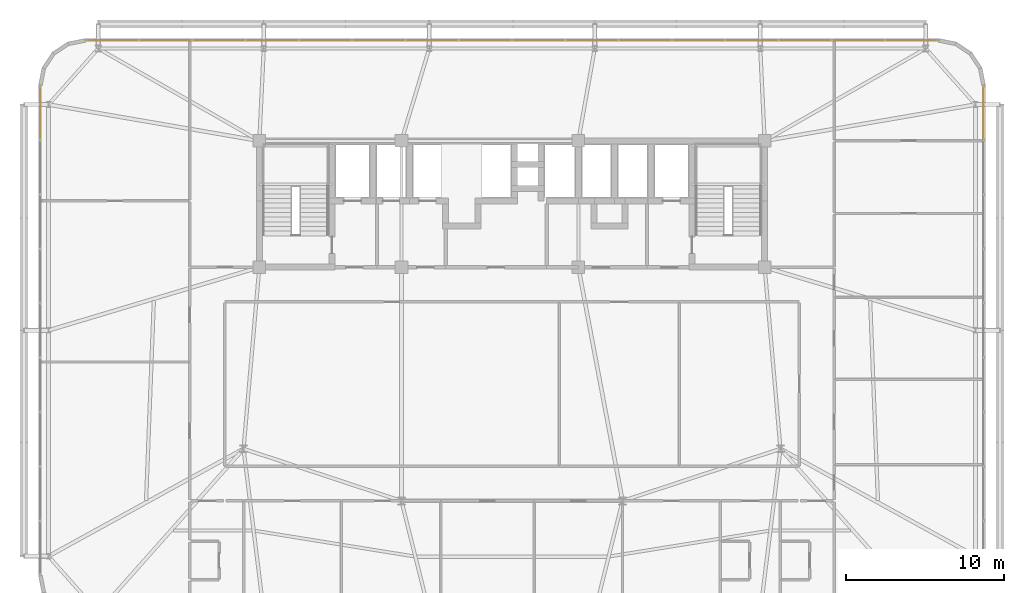
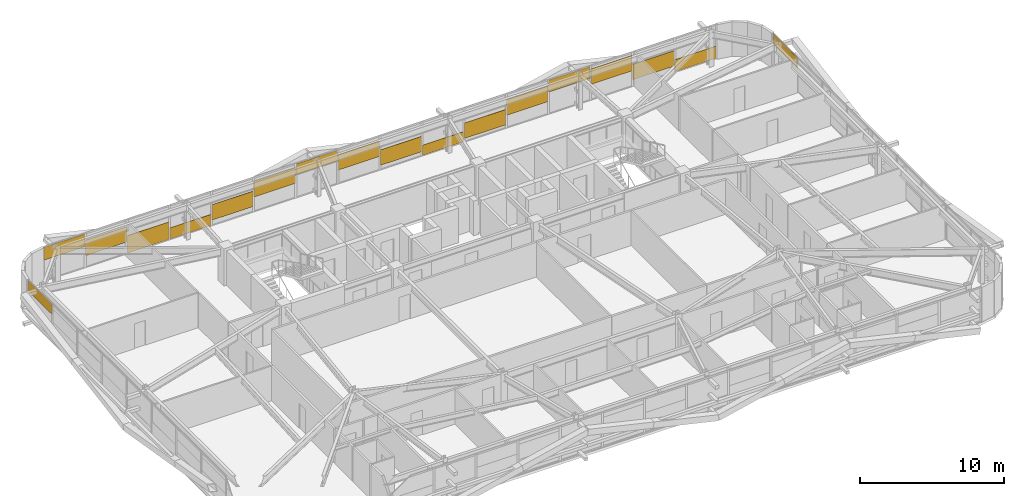
# One storey, part 58 of 58: 18 coverings.
"""IFC4 building model written with IfcOpenShell, lengths in metres."""

import ifcopenshell
import ifcopenshell.guid

model = None  # the IFC model being written
_history = None  # IfcOwnerHistory: only IFC2X3 demands one
_inside = {}  # id of a spatial element -> (the spatial element, [elements in it])
_under = {}  # id of a project, library or spatial element -> (it, [spatial elements below it])
_declared = {}  # id of a project -> (the project, [libraries it declares])
_typed = {}  # id of a type object -> (the type object, [elements of that type])
_made_of = {}  # id of a material, layer set ... -> (it, [elements and type objects made of it])


def new_model(schema):
    """Start an empty IFC model of exactly this schema.

    Asked for "IFC4X3", IfcOpenShell would pick the latest addendum, in which some entities
    have other attributes; the version numbers below select the first issue.
    IFC2X3 requires an IfcOwnerHistory on every rooted entity: one is made here for all.
    """
    global model, _history
    if schema == "IFC4X3":
        model = ifcopenshell.file(schema_version=(4, 3, 0, 0))
    else:
        model = ifcopenshell.file(schema=schema)
    _inside.clear()
    _under.clear()
    _declared.clear()
    _typed.clear()
    _made_of.clear()
    _history = None
    if model.schema == "IFC2X3":
        org = make("IfcOrganization", Name="unknown")
        user = make(
            "IfcPersonAndOrganization",
            ThePerson=make("IfcPerson", FamilyName="unknown"),
            TheOrganization=org,
        )
        app = make(
            "IfcApplication",
            ApplicationDeveloper=org,
            Version="unknown",
            ApplicationFullName="unknown",
            ApplicationIdentifier="unknown",
        )
        _history = make(
            "IfcOwnerHistory",
            OwningUser=user,
            OwningApplication=app,
            ChangeAction="ADDED",
            CreationDate=0,
        )
    return model


def make(cls, **values):
    """One entity of the class cls with the attributes given. An attribute that is None is left unset."""
    return model.create_entity(
        cls, **{name: value for name, value in values.items() if value is not None}
    )


def rooted(cls, **values):
    """An entity with a GlobalId (a new one), such as an element, a storey or a relation."""
    return make(cls, GlobalId=ifcopenshell.guid.new(), OwnerHistory=_history, **values)


def si_unit(unit_type, name, prefix=None):
    """IfcSIUnit, for example si_unit("LENGTHUNIT", "METRE", prefix="MILLI")."""
    return make("IfcSIUnit", UnitType=unit_type, Prefix=prefix, Name=name)


def assignment(units):
    """IfcUnitAssignment: the units of a project."""
    return None if units is None else make("IfcUnitAssignment", Units=units)


def point(xyz):
    """IfcCartesianPoint."""
    return None if xyz is None else make("IfcCartesianPoint", Coordinates=xyz)


def direction(xyz):
    """IfcDirection."""
    return None if xyz is None else make("IfcDirection", DirectionRatios=xyz)


def frame(location, z_axis=None, x_axis=None):
    """IfcAxis2Placement3D, a coordinate frame: its origin and axes. An axis left out is left unset."""
    return make(
        "IfcAxis2Placement3D",
        Location=point(location),
        Axis=direction(z_axis),
        RefDirection=direction(x_axis),
    )


def frame_2d(location, x_axis=None):
    """IfcAxis2Placement2D, a coordinate frame in the plane: its origin and x axis."""
    return make(
        "IfcAxis2Placement2D", Location=point(location), RefDirection=direction(x_axis)
    )


def origin():
    """The frame at (0, 0, 0) with its axes left unset."""
    return frame((0.0, 0.0, 0.0))


def origin_2d():
    """The frame at (0, 0) in the plane with its x axis left unset."""
    return frame_2d((0.0, 0.0))


def place(relative_to, where):
    """IfcLocalPlacement: puts the frame where relative to a parent placement (None: the world)."""
    return make(
        "IfcLocalPlacement", PlacementRelTo=relative_to, RelativePlacement=where
    )


def context(
    kind, dimensions, precision=None, world=None, true_north=None, identifier=None
):
    """IfcGeometricRepresentationContext, for example the 3D "Model" context."""
    return make(
        "IfcGeometricRepresentationContext",
        ContextIdentifier=identifier,
        ContextType=kind,
        CoordinateSpaceDimension=dimensions,
        Precision=precision,
        WorldCoordinateSystem=world,
        TrueNorth=true_north,
    )


def subcontext(parent, identifier, kind, view, scale=None):
    """IfcGeometricRepresentationSubContext, for example "Body" below "Model"."""
    return make(
        "IfcGeometricRepresentationSubContext",
        ContextIdentifier=identifier,
        ContextType=kind,
        ParentContext=parent,
        TargetScale=scale,
        TargetView=view,
    )


def project(units=None, contexts=None):
    """IfcProject with its units and contexts."""
    return rooted(
        "IfcProject",
        Name="project",
        RepresentationContexts=contexts,
        UnitsInContext=assignment(units),
    )


def spatial(cls, under=None, at=None, **own):
    """A site, building, storey or space (cls), placed at a placement, below another one or the project."""
    s = rooted(cls, ObjectPlacement=at, **own)
    if under is not None:
        _under.setdefault(under.id(), (under, []))[1].append(s)
    return s


def profile(cls, at=None, kind="AREA", **sizes):
    """A parametric profile (cls). Its sizes go by their IFC names, for example OverallWidth=200.0."""
    return make(cls, ProfileType=kind, Position=at, **sizes)


def rectangle(**sizes):
    """IfcRectangleProfileDef."""
    return profile("IfcRectangleProfileDef", **sizes)


def extrude(swept, where, along, depth):
    """IfcExtrudedAreaSolid: the profile swept, set in the frame where, extruded along a direction by depth."""
    return make(
        "IfcExtrudedAreaSolid",
        SweptArea=swept,
        Position=where,
        ExtrudedDirection=direction(along),
        Depth=depth,
    )


def shape(context_of_items, identifier, shape_type, items):
    """IfcShapeRepresentation: the items that make up one representation, for example the "Body"."""
    return make(
        "IfcShapeRepresentation",
        ContextOfItems=context_of_items,
        RepresentationIdentifier=identifier,
        RepresentationType=shape_type,
        Items=items,
    )


def source(mapping_origin, context_of_items, identifier, shape_type, items):
    """IfcRepresentationMap: a shape defined once, which mapped items show again and again."""
    return make(
        "IfcRepresentationMap",
        MappingOrigin=mapping_origin,
        MappedRepresentation=shape(context_of_items, identifier, shape_type, items),
    )


def transform(
    local_origin,
    x_axis=None,
    y_axis=None,
    z_axis=None,
    scale=None,
    scale2=None,
    scale3=None,
    uniform=True,
):
    """IfcCartesianTransformationOperator3D, or its non-uniform kind. x_axis, y_axis, z_axis: its Axis1, 2, 3."""
    if uniform:
        return make(
            "IfcCartesianTransformationOperator3D",
            Axis1=direction(x_axis),
            Axis2=direction(y_axis),
            LocalOrigin=point(local_origin),
            Scale=scale,
            Axis3=direction(z_axis),
        )
    return make(
        "IfcCartesianTransformationOperator3DnonUniform",
        Axis1=direction(x_axis),
        Axis2=direction(y_axis),
        LocalOrigin=point(local_origin),
        Scale=scale,
        Axis3=direction(z_axis),
        Scale2=scale2,
        Scale3=scale3,
    )


def mapped(mapping_source, mapping_target):
    """IfcMappedItem: shows the shape of a source again, moved by a transform."""
    return make(
        "IfcMappedItem", MappingSource=mapping_source, MappingTarget=mapping_target
    )


def material(Name=None, Category=None):
    """IfcMaterial."""
    return make("IfcMaterial", Name=Name, Category=Category)


def layer(
    of_material, thickness, ventilated=None, Name=None, Category=None, Priority=None
):
    """IfcMaterialLayer: one layer of a wall or slab, of a material (None: an air gap)."""
    return make(
        "IfcMaterialLayer",
        Material=of_material,
        LayerThickness=thickness,
        IsVentilated=ventilated,
        Name=Name,
        Category=Category,
        Priority=Priority,
    )


def layer_set(layers, Name=None):
    """IfcMaterialLayerSet."""
    return make("IfcMaterialLayerSet", MaterialLayers=layers, LayerSetName=Name)


def made_of(thing, what):
    """Note that an element or type object is made of a material, layer set ...; save() writes the relation."""
    if what is not None:
        _made_of.setdefault(what.id(), (what, []))[1].append(thing)
    return thing


def type_object(cls, material=None, **own):
    """A type object (cls), such as IfcWallType, which elements share."""
    return made_of(rooted(cls, **own), material)


def element(
    cls,
    number,
    at=None,
    inside=None,
    cuts=None,
    type_object=None,
    material=None,
    context=None,
    identifier="Body",
    shape_type=None,
    held_by="IfcProductDefinitionShape",
    body=None,
    shapes=None,
    **own,
):
    """One element of the class cls, such as IfcWall. Its Tag is "e" and its number.

    at: its placement. inside: the storey or other place that contains it. cuts: it is an
    opening in that element (IfcRelVoidsElement). A single representation is given by context,
    identifier, shape_type and body (its items); several are given by shapes. held_by: the class
    of the entity that holds the representations. save() writes the other relations.
    """
    e = rooted(cls, Tag="e%d" % number, ObjectPlacement=at, **own)
    if body is not None:
        shapes = [shape(context, identifier, shape_type, body)]
    if shapes is not None:
        e.Representation = make(held_by, Representations=shapes)
    if inside is not None:
        _inside.setdefault(inside.id(), (inside, []))[1].append(e)
    if cuts is not None:
        rooted(
            "IfcRelVoidsElement", RelatingBuildingElement=cuts, RelatedOpeningElement=e
        )
    if type_object is not None:
        _typed.setdefault(type_object.id(), (type_object, []))[1].append(e)
    return made_of(e, material)


def aggregate(whole, parts):
    """IfcRelAggregates: a whole, such as a stair, and the parts it consists of."""
    return rooted("IfcRelAggregates", RelatingObject=whole, RelatedObjects=parts)


def save(model, path):
    """Write the relations noted so far, then the file.

    IfcRelAggregates (storeys below a building ...), IfcRelContainedInSpatialStructure (elements
    in a storey), IfcRelDefinesByType, IfcRelAssociatesMaterial and IfcRelDeclares: one each for
    every whole, place, type object, material and project.
    """
    for whole, parts in _under.values():
        aggregate(whole, parts)
    for where, things in _inside.values():
        rooted(
            "IfcRelContainedInSpatialStructure",
            RelatedElements=things,
            RelatingStructure=where,
        )
    for kind, things in _typed.values():
        rooted("IfcRelDefinesByType", RelatedObjects=things, RelatingType=kind)
    for what, things in _made_of.values():
        rooted("IfcRelAssociatesMaterial", RelatedObjects=things, RelatingMaterial=what)
    for by, libraries in _declared.values():
        rooted("IfcRelDeclares", RelatingContext=by, RelatedDefinitions=libraries)
    model.write(path)


model = new_model("IFC4")

# Units and contexts
model_context = context("Model", 3, precision=1e-05, world=origin(), true_north=direction((0.0, 1.0)))
body_context = subcontext(model_context, "Body", "Model", "MODEL_VIEW")
ifc_project = project(units=[si_unit("LENGTHUNIT", "METRE"), si_unit("AREAUNIT", "SQUARE_METRE"), si_unit("VOLUMEUNIT", "CUBIC_METRE"), si_unit("PLANEANGLEUNIT", "RADIAN"), si_unit("MASSUNIT", "GRAM", prefix="KILO")], contexts=[model_context])

# Site, building, storey
site_placement = place(None, origin())
site = spatial("IfcSite", under=ifc_project, at=site_placement, CompositionType="ELEMENT")
building_placement = place(site_placement, origin())
building = spatial("IfcBuilding", under=site, at=building_placement, Name="Taldren Reach Tower", CompositionType="ELEMENT")
storey_placement = place(building_placement, frame((0.0, 0.0, 51.449951171875)))
storey = spatial("IfcBuildingStorey", under=building, at=storey_placement, Name="L15", CompositionType="ELEMENT", Elevation=51.449951171875)

# Coverings
ifc_material = material(Name="Pale Champagne Fluoropolymer Aluminium Spandrel Cladding", Category="aluminium")
ifc_layer = layer(ifc_material, 0.0439453125)
ifc_layer_set = layer_set([ifc_layer], Name="Pale Champagne Fluoropolymer Aluminium Spandrel Cladding")
covering_type = type_object("IfcCoveringType", Name="CV-CLAD-044", PredefinedType="CLADDING", material=ifc_layer_set)
shared_shape_1 = source(origin(), body_context, "Body", "SweptSolid", [
    extrude(rectangle(XDim=3.277587890625, YDim=0.0439453125, at=origin_2d()), origin(), (0.0, 0.0, 1.0), 1.081298828125),
])
covering_1_placement = place(storey_placement, frame((9.703857421875, 38.360107421875, 1.7939453125), z_axis=(0.0, 0.0, 1.0), x_axis=(-1.0, 0.0, 0.0)))
element("IfcCovering", 1, at=covering_1_placement, inside=storey, type_object=covering_type, Name="Diagrid closure cladding strip CW-2 panel 16.1 1", PredefinedType="CLADDING", context=body_context, shape_type="MappedRepresentation", body=[
    mapped(shared_shape_1, transform((0.0, 0.0, 0.0), scale=1.0)),
])
shared_shape_2 = source(origin(), body_context, "Body", "SweptSolid", [
    extrude(rectangle(XDim=3.31005859375, YDim=0.0439453125, at=origin_2d()), origin(), (0.0, 0.0, 1.0), 1.301025390625),
])
for number, where, z_axis, x_axis, name in (
    (2, (56.9375, 38.360107421875, 0.55810546875), (0.0, 0.0, 1.0), (-1.0, 0.0, 0.0), "Diagrid closure cladding strip CW-2 panel 2.1 1"),
    (3, (53.5625, 38.360107421875, 1.34033203125), (0.0, 0.0, 1.0), (-1.0, 0.0, 0.0), "Diagrid closure cladding strip CW-2 panel 3.1 1"),
    (4, (46.8125, 38.360107421875, 1.09326171875), (0.0, 0.0, 1.0), (-1.0, 0.0, 0.0), "Diagrid closure cladding strip CW-2 panel 5.1 1"),
    (5, (43.4375, 38.360107421875, 0.31103515625), (0.0, 0.0, 1.0), (-1.0, 0.0, 0.0), "Diagrid closure cladding strip CW-2 panel 6.1 1"),
    (6, (36.6875, 38.360107421875, 0.39306640625), (0.0, 0.0, 1.0), (-1.0, 0.0, 0.0), "Diagrid closure cladding strip CW-2 panel 8.1 1"),
    (7, (33.3125, 38.360107421875, 1.17578125), (0.0, 0.0, 1.0), (-1.0, 0.0, 0.0), "Diagrid closure cladding strip CW-2 panel 9.1 1"),
    (8, (26.5625, 38.360107421875, 1.25830078125), (0.0, 0.0, 1.0), (-1.0, 0.0, 0.0), "Diagrid closure cladding strip CW-2 panel 11.1 1"),
    (9, (23.1875, 38.360107421875, 0.4755859375), (0.0, 0.0, 1.0), (-1.0, 0.0, 0.0), "Diagrid closure cladding strip CW-2 panel 12.1 1"),
    (10, (13.0625, 38.360107421875, 1.01123046875), (0.0, 0.0, 1.0), (-1.0, 0.0, 0.0), "Diagrid closure cladding strip CW-2 panel 15.1 1"),
):
    element("IfcCovering", number, at=place(storey_placement, frame(where, z_axis=z_axis, x_axis=x_axis)), inside=storey, type_object=covering_type, Name=name, PredefinedType="CLADDING", context=body_context, shape_type="MappedRepresentation", body=[
        mapped(shared_shape_2, transform((0.0, 0.0, 0.0), scale=1.0)),
    ])
shared_shape_3 = source(origin(), body_context, "Body", "SweptSolid", [
    extrude(rectangle(XDim=3.31005859375, YDim=0.0439453125, at=origin_2d()), origin(), (0.0, 0.0, 1.0), 1.474609375),
])
covering_2_placement = place(storey_placement, frame((16.4375, 38.360107421875, 0.054931640625), z_axis=(0.0, 0.0, 1.0), x_axis=(-1.0, 0.0, 0.0)))
element("IfcCovering", 11, at=covering_2_placement, inside=storey, type_object=covering_type, Name="Diagrid closure cladding strip CW-2 panel 14.1 1", PredefinedType="CLADDING", context=body_context, shape_type="MappedRepresentation", body=[
    mapped(shared_shape_3, transform((0.0, 0.0, 0.0), scale=1.0)),
])
shared_shape_4 = source(origin(), body_context, "Body", "SweptSolid", [
    extrude(rectangle(XDim=3.31005859375, YDim=0.0439453125, at=origin_2d()), origin(), (0.0, 0.0, 1.0), 0.93896484375),
])
covering_3_placement = place(storey_placement, frame((19.8125, 38.360107421875, 0.05517578125), z_axis=(0.0, 0.0, 1.0), x_axis=(-1.0, 0.0, 0.0)))
element("IfcCovering", 12, at=covering_3_placement, inside=storey, type_object=covering_type, Name="Diagrid closure cladding strip CW-2 panel 13.1 1", PredefinedType="CLADDING", context=body_context, shape_type="MappedRepresentation", body=[
    mapped(shared_shape_4, transform((0.0, 0.0, 0.0), scale=1.0)),
])
shared_shape_5 = source(origin(), body_context, "Body", "SweptSolid", [
    extrude(rectangle(XDim=3.31005859375, YDim=0.0439453125, at=origin_2d()), origin(), (0.0, 0.0, 1.0), 0.916748046875),
])
covering_4_placement = place(storey_placement, frame((29.9375, 38.360107421875, 1.95849609375), z_axis=(0.0, 0.0, 1.0), x_axis=(-1.0, 0.0, 0.0)))
element("IfcCovering", 13, at=covering_4_placement, inside=storey, type_object=covering_type, Name="Diagrid closure cladding strip CW-2 panel 10.1 1", PredefinedType="CLADDING", context=body_context, shape_type="MappedRepresentation", body=[
    mapped(shared_shape_5, transform((0.0, 0.0, 0.0), scale=1.0)),
])
shared_shape_6 = source(origin(), body_context, "Body", "SweptSolid", [
    extrude(rectangle(XDim=3.31005859375, YDim=0.0439453125, at=origin_2d()), origin(), (0.0, 0.0, 1.0), 0.856689453125),
])
covering_5_placement = place(storey_placement, frame((40.0625, 38.360107421875, 0.05517578125), z_axis=(0.0, 0.0, 1.0), x_axis=(-1.0, 0.0, 0.0)))
element("IfcCovering", 14, at=covering_5_placement, inside=storey, type_object=covering_type, Name="Diagrid closure cladding strip CW-2 panel 7.1 1", PredefinedType="CLADDING", context=body_context, shape_type="MappedRepresentation", body=[
    mapped(shared_shape_6, transform((0.0, 0.0, 0.0), scale=1.0)),
])
shared_shape_7 = source(origin(), body_context, "Body", "SweptSolid", [
    extrude(rectangle(XDim=3.31005859375, YDim=0.0439453125, at=origin_2d()), origin(), (0.0, 0.0, 1.0), 0.9990234375),
])
covering_6_placement = place(storey_placement, frame((50.1875, 38.360107421875, 1.8759765625), z_axis=(0.0, 0.0, 1.0), x_axis=(-1.0, 0.0, 0.0)))
element("IfcCovering", 15, at=covering_6_placement, inside=storey, type_object=covering_type, Name="Diagrid closure cladding strip CW-2 panel 4.1 1", PredefinedType="CLADDING", context=body_context, shape_type="MappedRepresentation", body=[
    mapped(shared_shape_7, transform((0.0, 0.0, 0.0), scale=1.0)),
])
shared_shape_8 = source(origin(), body_context, "Body", "SweptSolid", [
    extrude(rectangle(XDim=3.277587890625, YDim=0.0439453125, at=origin_2d()), origin(), (0.0, 0.0, 1.0), 1.021240234375),
])
covering_7_placement = place(storey_placement, frame((60.296142578125, 38.360107421875, 0.05517578125), z_axis=(0.0, 0.0, 1.0), x_axis=(-1.0, 0.0, 0.0)))
element("IfcCovering", 16, at=covering_7_placement, inside=storey, type_object=covering_type, Name="Diagrid closure cladding strip CW-2 panel 1.1 1", PredefinedType="CLADDING", context=body_context, shape_type="MappedRepresentation", body=[
    mapped(shared_shape_8, transform((0.0, 0.0, 0.0), scale=1.0)),
])
shared_shape_9 = source(origin(), body_context, "Body", "SweptSolid", [
    extrude(rectangle(XDim=3.346923828125, YDim=0.0439453125, at=origin_2d()), origin(), (0.0, 0.0, 1.0), 0.864501953125),
])
for number, where, z_axis, x_axis, name in (
    (17, (5.139892578125, 33.761474609375, 2.0107421875), (0.0, 0.0, 1.0), (0.0, -1.0, 0.0), "Diagrid closure cladding strip CW-2 panel 1.1 1"),
    (18, (64.860107421875, 33.761474609375, 2.0107421875), (0.0, 0.0, 1.0), (0.0, 1.0, 0.0), "Diagrid closure cladding strip CW-2 panel 9.1 1"),
):
    element("IfcCovering", number, at=place(storey_placement, frame(where, z_axis=z_axis, x_axis=x_axis)), inside=storey, type_object=covering_type, Name=name, PredefinedType="CLADDING", context=body_context, shape_type="MappedRepresentation", body=[
        mapped(shared_shape_9, transform((0.0, 0.0, 0.0), scale=1.0)),
    ])

save(model, "model.ifc")
